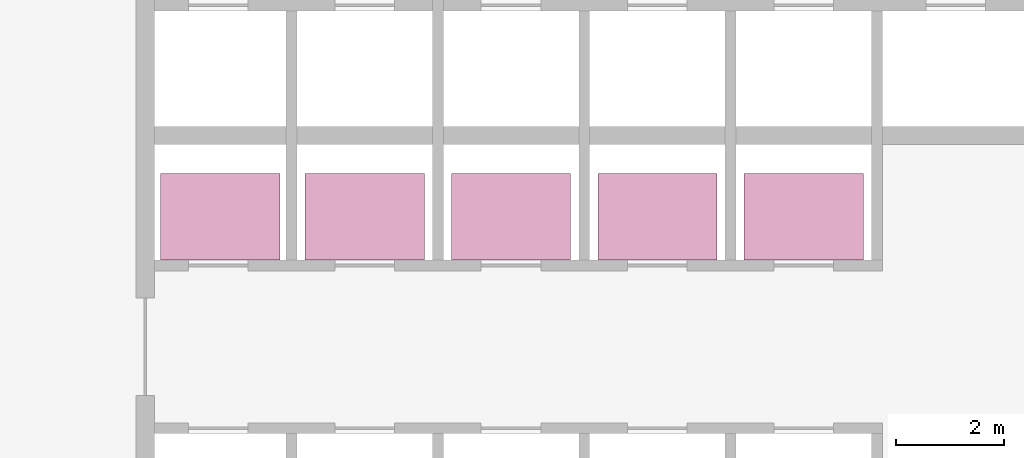
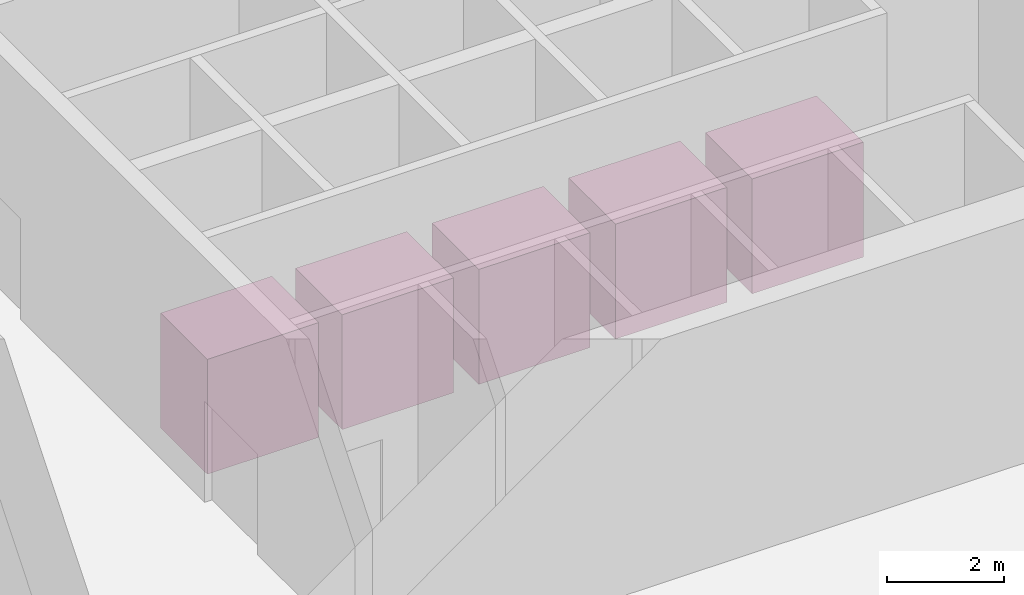
# One storey, part 21 of 21: 5 transport elements.
"""IFC4 building model written with IfcOpenShell, lengths in metres."""

from ifc_helpers import new_model, si_unit, direction, frame, origin, origin_2d, place, context, subcontext, project, spatial, rectangle, extrude, material, type_object, element, save


model = new_model("IFC4")

# Units and contexts
model_context = context("Model", 3, precision=1e-05, world=origin(), true_north=direction((0.0, 1.0)))
body_context = subcontext(model_context, "Body", "Model", "MODEL_VIEW")
ifc_project = project(units=[si_unit("LENGTHUNIT", "METRE"), si_unit("AREAUNIT", "SQUARE_METRE"), si_unit("VOLUMEUNIT", "CUBIC_METRE"), si_unit("PLANEANGLEUNIT", "RADIAN"), si_unit("MASSUNIT", "GRAM", prefix="KILO")], contexts=[model_context])

# Site, building, storey
site_placement = place(None, origin())
site = spatial("IfcSite", under=ifc_project, at=site_placement, CompositionType="ELEMENT")
building_placement = place(site_placement, origin())
building = spatial("IfcBuilding", under=site, at=building_placement, Name="Meshkara Civic Tower", CompositionType="ELEMENT")
storey_placement = place(building_placement, frame((0.0, 0.0, 156.0)))
storey = spatial("IfcBuildingStorey", under=building, at=storey_placement, Name="L35", CompositionType="ELEMENT", Elevation=156.0)

# Transport elements
ifc_material = material(Name="Stainless steel car lining", Category="steel")
transport_element_type = type_object("IfcTransportElementType", Name="Lift car 2200x1600", PredefinedType="ELEVATOR", material=ifc_material)
for number, where, z_axis, x_axis, name in (
    (1, (14.5849609375, 21.60009765625, 0.0), (0.0, 0.0, 1.0), (1.0, 0.0, 0.0), "Mid-rise passenger lift MP1"),
    (2, (17.25, 21.60009765625, 0.0), (0.0, 0.0, 1.0), (1.0, 0.0, 0.0), "Mid-rise passenger lift MP2"),
    (3, (19.949951171875, 21.60009765625, 0.0), (0.0, 0.0, 1.0), (1.0, 0.0, 0.0), "Mid-rise passenger lift MP3"),
    (4, (22.64990234375, 21.60009765625, 0.0), (0.0, 0.0, 1.0), (1.0, 0.0, 0.0), "Mid-rise passenger lift MP4"),
    (5, (25.35009765625, 21.60009765625, 0.0), (0.0, 0.0, 1.0), (1.0, 0.0, 0.0), "Mid-rise passenger lift MP5"),
):
    element("IfcTransportElement", number, at=place(storey_placement, frame(where, z_axis=z_axis, x_axis=x_axis)), inside=storey, type_object=transport_element_type, Name=name, PredefinedType="ELEVATOR", context=body_context, shape_type="SweptSolid", body=[
        extrude(rectangle(XDim=2.199951171875, YDim=1.60009765625, at=origin_2d()), origin(), (0.0, 0.0, 1.0), 2.39990234375),
    ])

save(model, "model.ifc")
